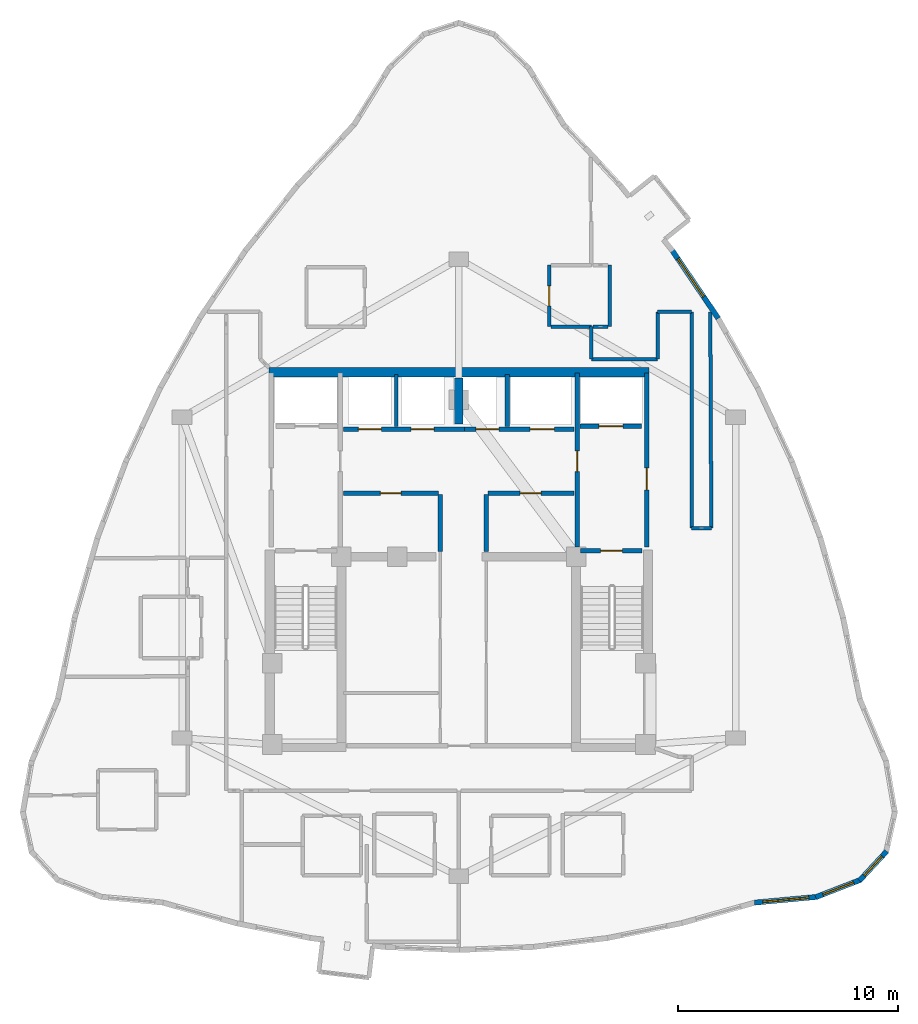
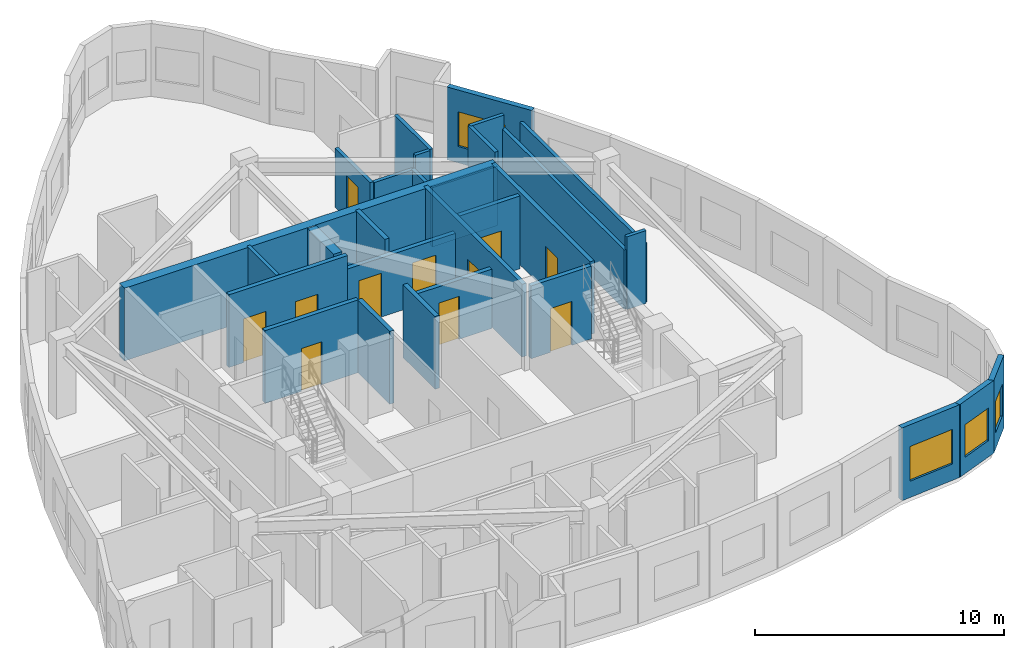
# One storey, part 10 of 13: 29 walls, 11 doors, 4 windows, 15 openings.
"""IFC4 building model written with IfcOpenShell, lengths in metres."""

from ifc_helpers import new_model, si_unit, direction, frame, frame_2d, origin, place, context, subcontext, project, spatial, rectangle, extrude, material, layer, layer_set, type_object, element, fill, save


model = new_model("IFC4")

# Units and contexts
model_context = context("Model", 3, precision=1e-05, world=origin(), true_north=direction((0.0, 1.0)))
body_context = subcontext(model_context, "Body", "Model", "MODEL_VIEW")
ifc_project = project(units=[si_unit("LENGTHUNIT", "METRE"), si_unit("AREAUNIT", "SQUARE_METRE"), si_unit("VOLUMEUNIT", "CUBIC_METRE"), si_unit("PLANEANGLEUNIT", "RADIAN"), si_unit("MASSUNIT", "GRAM", prefix="KILO")], contexts=[model_context])

# Site, building, storey
site_placement = place(None, origin())
site = spatial("IfcSite", under=ifc_project, at=site_placement, CompositionType="ELEMENT")
building_placement = place(site_placement, origin())
building = spatial("IfcBuilding", under=site, at=building_placement, Name="Miruveldt Soraemaru", CompositionType="ELEMENT")
storey_placement = place(building_placement, frame((0.0, 0.0, 255.85009765625)))
storey = spatial("IfcBuildingStorey", under=building, at=storey_placement, Name="L70", CompositionType="ELEMENT", Elevation=255.85009765625)

# Walls
ifc_material_1 = material(Name="Concrete C70/85 (70 MPa)", Category="concrete")
ifc_layer_1 = layer(ifc_material_1, 0.5, Name="Concrete C70/85 (70 MPa)", Category="concrete")
ifc_layer_set_1 = layer_set([ifc_layer_1], Name="Concrete C70/85 (70 MPa)")
wall_type_1 = type_object("IfcWallType", Name="WALL-BW-500", PredefinedType="SHEAR", material=ifc_layer_set_1)
wall_1_placement = place(storey_placement, frame((44.0, 50.10009765625, 0.0), z_axis=(0.0, 0.0, 1.0), x_axis=(0.0, 1.0, 0.0)))
element("IfcWall", 1, at=wall_1_placement, inside=storey, type_object=wall_type_1, Name="L70 Core Buttress Shear Wall BN", PredefinedType="SHEAR", context=body_context, shape_type="SweptSolid", body=[
    extrude(rectangle(XDim=2.099853515625, YDim=0.39990234375, at=frame_2d((1.0498046875, 0.0))), origin(), (0.0, 0.0, 1.0), 3.56494140625),
])
ifc_material_2 = material(Name="Concrete C50/60 (50 MPa)", Category="concrete")
ifc_layer_2 = layer(ifc_material_2, 0.419921875, Name="Concrete C50/60 (50 MPa)", Category="concrete")
ifc_layer_set_2 = layer_set([ifc_layer_2], Name="Concrete C50/60 (50 MPa)")
wall_type_2 = type_object("IfcWallType", Name="WALL-CW-420", PredefinedType="SHEAR", material=ifc_layer_set_2)
wall_2_placement = place(storey_placement, frame((35.35009765625, 52.449951171875, 0.0), z_axis=(0.0, 0.0, 1.0), x_axis=(1.0, 0.0, 0.0)))
element("IfcWall", 2, at=wall_2_placement, inside=storey, type_object=wall_type_2, Name="L70 Central Core Shear Wall N", PredefinedType="SHEAR", context=body_context, shape_type="SweptSolid", body=[
    extrude(rectangle(XDim=17.2998046875, YDim=0.419921875, at=frame_2d((8.64990234375, 0.0))), origin(), (0.0, 0.0, 1.0), 3.56494140625),
])

# Wall, opening, window
ifc_material_3 = material(Name="Precast concrete C45/55 (45 MPa)", Category="concrete")
ifc_layer_3 = layer(ifc_material_3, 0.239990234375, Name="Precast concrete C45/55 (45 MPa)", Category="concrete")
ifc_layer_set_3 = layer_set([ifc_layer_3], Name="Precast concrete C45/55 (45 MPa)")
wall_type_3 = type_object("IfcWallType", Name="WALL-EXT-PC240", PredefinedType="SOLIDWALL", material=ifc_layer_set_3)
wall_3_placement = place(storey_placement, frame((57.46435546875, 28.30078125, 0.0), z_axis=(0.0, 0.0, 1.0), x_axis=(0.99576007386, 0.091988452029, 0.0)))
wall_3 = element("IfcWall", 3, at=wall_3_placement, inside=storey, type_object=wall_type_3, Name="L70 Precast Concrete Facade Wall 29", PredefinedType="SOLIDWALL", context=body_context, shape_type="SweptSolid", body=[
    extrude(rectangle(XDim=2.86376953125, YDim=0.239990234375, at=frame_2d((1.431884765625, 0.0))), origin(), (0.0, 0.0, 1.0), 3.56494140625),
])
opening_1_placement = place(wall_3_placement, frame((0.382080078125, 0.0, 0.800048828125)))
opening_1 = element("IfcOpeningElement", 4, at=opening_1_placement, cuts=wall_3, Name="Opening WN-1", PredefinedType="OPENING", context=body_context, shape_type="SweptSolid", body=[
    extrude(rectangle(XDim=2.10009765625, YDim=1.699951171875, at=frame_2d((1.050048828125, 0.85009765625))), frame((0.0, 0.1298828125, 0.0), z_axis=(0.0, -1.0, 0.0), x_axis=(1.0, 0.0, 0.0)), (0.0, 0.0, 1.0), 0.260009765625),
])
ifc_material_4 = material(Name="Triple low-e insulated glazing", Category="glass")
window_type_1 = type_object("IfcWindowType", Name="WIN-PUNCH-2100x1700", PartitioningType="SINGLE_PANEL", PredefinedType="WINDOW", material=ifc_material_4)
window_1_placement = place(opening_1_placement, origin())
window_1 = element("IfcWindow", 5, at=window_1_placement, inside=storey, type_object=window_type_1, Name="L70 Punched Triple-Glazed Window 29.1", OverallHeight=1.699951171875, OverallWidth=2.10009765625, PartitioningType="SINGLE_PANEL", PredefinedType="WINDOW", context=body_context, shape_type="SweptSolid", body=[
    extrude(rectangle(XDim=2.10009765625, YDim=1.699951171875, at=frame_2d((1.050048828125, 0.85009765625))), frame((0.0, 0.030029296875, 0.0), z_axis=(0.0, -1.0, 0.0), x_axis=(1.0, 0.0, 0.0)), (0.0, 0.0, 1.0), 0.06005859375),
])
fill(opening_1, window_1)

wall_4_placement = place(storey_placement, frame((60.248291015625, 28.54833984375, 0.0), z_axis=(0.0, 0.0, 1.0), x_axis=(0.932289565547, 0.361712822516, 0.0)))
wall_4 = element("IfcWall", 6, at=wall_4_placement, inside=storey, type_object=wall_type_3, Name="L70 Precast Concrete Facade Wall 30", PredefinedType="SOLIDWALL", context=body_context, shape_type="SweptSolid", body=[
    extrude(rectangle(XDim=2.200927734375, YDim=0.239990234375, at=frame_2d((1.1005859375, 0.0))), origin(), (0.0, 0.0, 1.0), 3.56494140625),
])
opening_2_placement = place(wall_4_placement, frame((0.35107421875, 0.0, 0.800048828125)))
opening_2 = element("IfcOpeningElement", 7, at=opening_2_placement, cuts=wall_4, Name="Opening WN-3", PredefinedType="OPENING", context=body_context, shape_type="SweptSolid", body=[
    extrude(rectangle(XDim=1.5, YDim=1.60009765625, at=frame_2d((0.75, 0.800048828125))), frame((0.0, 0.1298828125, 0.0), z_axis=(0.0, -1.0, 0.0), x_axis=(1.0, 0.0, 0.0)), (0.0, 0.0, 1.0), 0.260009765625),
])
window_type_2 = type_object("IfcWindowType", Name="WIN-PUNCH-1500x1600", PartitioningType="SINGLE_PANEL", PredefinedType="WINDOW", material=ifc_material_4)
window_2_placement = place(opening_2_placement, origin())
window_2 = element("IfcWindow", 8, at=window_2_placement, inside=storey, type_object=window_type_2, Name="L70 Punched Triple-Glazed Window 30.1", OverallHeight=1.60009765625, OverallWidth=1.5, PartitioningType="SINGLE_PANEL", PredefinedType="WINDOW", context=body_context, shape_type="SweptSolid", body=[
    extrude(rectangle(XDim=1.5, YDim=1.60009765625, at=frame_2d((0.75, 0.800048828125))), frame((0.0, 0.030029296875, 0.0), z_axis=(0.0, -1.0, 0.0), x_axis=(1.0, 0.0, 0.0)), (0.0, 0.0, 1.0), 0.06005859375),
])
fill(opening_2, window_2)

wall_5_placement = place(storey_placement, frame((62.243896484375, 29.30615234375, 0.0), z_axis=(0.0, 0.0, 1.0), x_axis=(0.680158207142, 0.733065354015, 0.0)))
wall_5 = element("IfcWall", 9, at=wall_5_placement, inside=storey, type_object=wall_type_3, Name="L70 Precast Concrete Facade Wall 31", PredefinedType="SOLIDWALL", context=body_context, shape_type="SweptSolid", body=[
    extrude(rectangle(XDim=1.82275390625, YDim=0.239990234375, at=frame_2d((0.911376953125, 0.0))), origin(), (0.0, 0.0, 1.0), 3.56494140625),
])
opening_3_placement = place(wall_5_placement, frame((0.31103515625, 0.0, 0.780029296875)))
opening_3 = element("IfcOpeningElement", 10, at=opening_3_placement, cuts=wall_5, Name="Opening WN-4", PredefinedType="OPENING", context=body_context, shape_type="SweptSolid", body=[
    extrude(rectangle(XDim=1.199951171875, YDim=1.550048828125, at=frame_2d((0.60009765625, 0.77490234375))), frame((0.0, 0.1298828125, 0.0), z_axis=(0.0, -1.0, 0.0), x_axis=(1.0, 0.0, 0.0)), (0.0, 0.0, 1.0), 0.260009765625),
])
window_type_3 = type_object("IfcWindowType", Name="WIN-PUNCH-1200x1550", PartitioningType="SINGLE_PANEL", PredefinedType="WINDOW", material=ifc_material_4)
window_3_placement = place(opening_3_placement, origin())
window_3 = element("IfcWindow", 11, at=window_3_placement, inside=storey, type_object=window_type_3, Name="L70 Punched Triple-Glazed Window 31.1", OverallHeight=1.550048828125, OverallWidth=1.199951171875, PartitioningType="SINGLE_PANEL", PredefinedType="WINDOW", context=body_context, shape_type="SweptSolid", body=[
    extrude(rectangle(XDim=1.199951171875, YDim=1.550048828125, at=frame_2d((0.60009765625, 0.77490234375))), frame((0.0, 0.030029296875, 0.0), z_axis=(0.0, -1.0, 0.0), x_axis=(1.0, 0.0, 0.0)), (0.0, 0.0, 1.0), 0.06005859375),
])
fill(opening_3, window_3)

wall_6_placement = place(storey_placement, frame((55.814453125, 54.90478515625, 0.0), z_axis=(0.0, 0.0, 1.0), x_axis=(-0.560812433684, 0.827942881016, 0.0)))
wall_6 = element("IfcWall", 12, at=wall_6_placement, inside=storey, type_object=wall_type_3, Name="L70 Precast Concrete Facade Wall 40", PredefinedType="SOLIDWALL", context=body_context, shape_type="SweptSolid", body=[
    extrude(rectangle(XDim=3.779052734375, YDim=0.239990234375, at=frame_2d((1.8896484375, 0.0))), origin(), (0.0, 0.0, 1.0), 3.56494140625),
])
opening_4_placement = place(wall_6_placement, frame((1.18505859375, 0.0, 0.800048828125)))
opening_4 = element("IfcOpeningElement", 13, at=opening_4_placement, cuts=wall_6, Name="Opening WN-1", PredefinedType="OPENING", context=body_context, shape_type="SweptSolid", body=[
    extrude(rectangle(XDim=2.10009765625, YDim=1.699951171875, at=frame_2d((1.050048828125, 0.85009765625))), frame((0.0, 0.1298828125, 0.0), z_axis=(0.0, -1.0, 0.0), x_axis=(1.0, 0.0, 0.0)), (0.0, 0.0, 1.0), 0.260009765625),
])
window_4_placement = place(opening_4_placement, origin())
window_4 = element("IfcWindow", 14, at=window_4_placement, inside=storey, type_object=window_type_1, Name="L70 Punched Triple-Glazed Window 40.1", OverallHeight=1.699951171875, OverallWidth=2.10009765625, PartitioningType="SINGLE_PANEL", PredefinedType="WINDOW", context=body_context, shape_type="SweptSolid", body=[
    extrude(rectangle(XDim=2.10009765625, YDim=1.699951171875, at=frame_2d((1.050048828125, 0.85009765625))), frame((0.0, 0.030029296875, 0.0), z_axis=(0.0, -1.0, 0.0), x_axis=(1.0, 0.0, 0.0)), (0.0, 0.0, 1.0), 0.06005859375),
])
fill(opening_4, window_4)

# Wall, opening, door
ifc_material_5 = material(Name="Concrete C40/50 (40 MPa)", Category="concrete")
ifc_layer_4 = layer(ifc_material_5, 0.159912109375, Name="Concrete C40/50 (40 MPa)", Category="concrete")
ifc_layer_set_4 = layer_set([ifc_layer_4], Name="Concrete C40/50 (40 MPa)")
wall_type_4 = type_object("IfcWallType", Name="WALL-INT-RC160", PredefinedType="SOLIDWALL", material=ifc_layer_set_4)
wall_7_placement = place(storey_placement, frame((48.115966796875, 57.330078125, 0.0), z_axis=(0.0, 0.0, 1.0), x_axis=(0.0, -1.0, 0.0)))
wall_7 = element("IfcWall", 15, at=wall_7_placement, inside=storey, type_object=wall_type_4, Name="L70 Partition Wall 18", PredefinedType="SOLIDWALL", context=body_context, shape_type="SweptSolid", body=[
    extrude(rectangle(XDim=2.800048828125, YDim=0.159912109375, at=frame_2d((1.39990234375, 0.0))), origin(), (0.0, 0.0, 1.0), 2.90283203125),
])
opening_5_placement = place(wall_7_placement, frame((0.93994140625, 0.0, 0.0)))
opening_5 = element("IfcOpeningElement", 16, at=opening_5_placement, cuts=wall_7, Name="Opening D3A", PredefinedType="OPENING", context=body_context, shape_type="SweptSolid", body=[
    extrude(rectangle(XDim=0.919921875, YDim=2.10009765625, at=frame_2d((0.4599609375, 1.050048828125))), frame((0.0, 0.08984375, 0.0), z_axis=(0.0, -1.0, 0.0), x_axis=(1.0, 0.0, 0.0)), (0.0, 0.0, 1.0), 0.179931640625),
])
ifc_material_6 = material(Name="Anodised aluminium EN AW-6063 T6", Category="aluminium")
door_type_1 = type_object("IfcDoorType", Name="DOOR-INT-920", OperationType="NOTDEFINED", PredefinedType="DOOR", material=ifc_material_6)
door_1_placement = place(opening_5_placement, origin())
door_1 = element("IfcDoor", 17, at=door_1_placement, inside=storey, type_object=door_type_1, Name="L70 Unit 7001 KIT Door", OperationType="SINGLE_SWING_LEFT", OverallHeight=2.10009765625, OverallWidth=0.919921875, PredefinedType="DOOR", context=body_context, shape_type="SweptSolid", body=[
    extrude(rectangle(XDim=0.919921875, YDim=2.10009765625, at=frame_2d((0.4599609375, 1.050048828125))), frame((0.0, 0.02490234375, 0.0), z_axis=(0.0, -1.0, 0.0), x_axis=(1.0, 0.0, 0.0)), (0.0, 0.0, 1.0), 0.050048828125),
])
fill(opening_5, door_1)

# Walls
wall_8_placement = place(storey_placement, frame((55.448974609375, 55.202880859375, 0.0), z_axis=(0.0, 0.0, 1.0), x_axis=(0.004686867306, -0.999989016577, 0.0)))
element("IfcWall", 18, at=wall_8_placement, inside=storey, type_object=wall_type_4, Name="L70 Partition Wall 68", PredefinedType="SOLIDWALL", context=body_context, shape_type="SweptSolid", body=[
    extrude(rectangle(XDim=9.844970703125, YDim=0.159912109375, at=frame_2d((4.92236328125, 0.0))), origin(), (0.0, 0.0, 1.0), 2.90283203125),
])
wall_9_placement = place(storey_placement, frame((54.60009765625, 45.35791015625, 0.0), z_axis=(0.0, 0.0, 1.0), x_axis=(0.0, 1.0, 0.0)))
element("IfcWall", 19, at=wall_9_placement, inside=storey, type_object=wall_type_4, Name="L70 Partition Wall 70", PredefinedType="SOLIDWALL", context=body_context, shape_type="SweptSolid", body=[
    extrude(rectangle(XDim=9.842041015625, YDim=0.159912109375, at=frame_2d((4.9208984375, 0.0))), origin(), (0.0, 0.0, 1.0), 2.90283203125),
])
wall_10_placement = place(storey_placement, frame((53.047119140625, 53.050048828125, 0.0), z_axis=(0.0, 0.0, 1.0), x_axis=(-1.0, 0.0, 0.0)))
element("IfcWall", 20, at=wall_10_placement, inside=storey, type_object=wall_type_4, Name="L70 Partition Wall 73", PredefinedType="SOLIDWALL", context=body_context, shape_type="SweptSolid", body=[
    extrude(rectangle(XDim=3.01220703125, YDim=0.159912109375, at=frame_2d((1.506103515625, 0.0))), origin(), (0.0, 0.0, 1.0), 2.90283203125),
])
wall_11_placement = place(storey_placement, frame((50.865966796875, 54.530029296875, 0.0), z_axis=(0.0, 0.0, 1.0), x_axis=(0.0, 1.0, 0.0)))
element("IfcWall", 21, at=wall_11_placement, inside=storey, type_object=wall_type_4, Name="L70 Partition Wall 25", PredefinedType="SOLIDWALL", context=body_context, shape_type="SweptSolid", body=[
    extrude(rectangle(XDim=2.800048828125, YDim=0.159912109375, at=frame_2d((1.39990234375, 0.0))), origin(), (0.0, 0.0, 1.0), 3.56494140625),
])
wall_12_placement = place(storey_placement, frame((41.14990234375, 49.97998046875, 0.0), z_axis=(0.0, 0.0, 1.0), x_axis=(0.0, 1.0, 0.0)))
element("IfcWall", 22, at=wall_12_placement, inside=storey, type_object=wall_type_4, Name="L70 Core Compartment Wall PLH-DIV1", PredefinedType="SOLIDWALL", context=body_context, shape_type="SweptSolid", body=[
    extrude(rectangle(XDim=2.3701171875, YDim=0.159912109375, at=frame_2d((1.18505859375, 0.0))), origin(), (0.0, 0.0, 1.0), 3.56494140625),
])
wall_13_placement = place(storey_placement, frame((53.050048828125, 55.199951171875, 0.0), z_axis=(0.0, 0.0, 1.0), x_axis=(0.0, -1.0, 0.0)))
element("IfcWall", 23, at=wall_13_placement, inside=storey, type_object=wall_type_4, Name="L70 Partition Wall 72", PredefinedType="SOLIDWALL", context=body_context, shape_type="SweptSolid", body=[
    extrude(rectangle(XDim=2.14697265625, YDim=0.159912109375, at=frame_2d((1.073486328125, 0.0))), origin(), (0.0, 0.0, 1.0), 3.56494140625),
])
wall_14_placement = place(storey_placement, frame((48.196044921875, 54.530029296875, 0.0), z_axis=(0.0, 0.0, 1.0), x_axis=(1.0, 0.0, 0.0)))
element("IfcWall", 24, at=wall_14_placement, inside=storey, type_object=wall_type_4, Name="L70 Partition Wall 19", PredefinedType="SOLIDWALL", context=body_context, shape_type="SweptSolid", body=[
    extrude(rectangle(XDim=1.848876953125, YDim=0.159912109375, at=frame_2d((0.92431640625, 0.0))), origin(), (0.0, 0.0, 1.0), 2.90283203125),
])
wall_15_placement = place(storey_placement, frame((54.60009765625, 55.199951171875, 0.0), z_axis=(0.0, 0.0, 1.0), x_axis=(-1.0, 0.0, 0.0)))
element("IfcWall", 25, at=wall_15_placement, inside=storey, type_object=wall_type_4, Name="L70 Partition Wall 71", PredefinedType="SOLIDWALL", context=body_context, shape_type="SweptSolid", body=[
    extrude(rectangle(XDim=1.550048828125, YDim=0.159912109375, at=frame_2d((0.77490234375, 0.0))), origin(), (0.0, 0.0, 1.0), 3.56494140625),
])
wall_16_placement = place(storey_placement, frame((50.034912109375, 53.050048828125, 0.0), z_axis=(0.0, 0.0, 1.0), x_axis=(0.0, 1.0, 0.0)))
element("IfcWall", 26, at=wall_16_placement, inside=storey, type_object=wall_type_4, Name="L70 Partition Wall 20", PredefinedType="SOLIDWALL", context=body_context, shape_type="SweptSolid", body=[
    extrude(rectangle(XDim=1.47998046875, YDim=0.159912109375, at=frame_2d((0.739990234375, 0.0))), origin(), (0.0, 0.0, 1.0), 2.90283203125),
])
wall_17_placement = place(storey_placement, frame((55.4951171875, 45.35791015625, 0.0), z_axis=(0.0, 0.0, 1.0), x_axis=(-1.0, 0.0, 0.0)))
element("IfcWall", 27, at=wall_17_placement, inside=storey, type_object=wall_type_4, Name="L70 Partition Wall 69", PredefinedType="SOLIDWALL", context=body_context, shape_type="SweptSolid", body=[
    extrude(rectangle(XDim=0.89501953125, YDim=0.159912109375, at=frame_2d((0.447509765625, 0.0))), origin(), (0.0, 0.0, 1.0), 3.56494140625),
])
wall_18_placement = place(storey_placement, frame((50.114990234375, 54.530029296875, 0.0), z_axis=(0.0, 0.0, 1.0), x_axis=(1.0, 0.0, 0.0)))
element("IfcWall", 28, at=wall_18_placement, inside=storey, type_object=wall_type_4, Name="L70 Partition Wall 24", PredefinedType="SOLIDWALL", context=body_context, shape_type="SweptSolid", body=[
    extrude(rectangle(XDim=0.6708984375, YDim=0.159912109375, at=frame_2d((0.33544921875, 0.0))), origin(), (0.0, 0.0, 1.0), 3.56494140625),
])

# Wall, opening, door
ifc_layer_5 = layer(ifc_material_5, 0.199951171875, Name="Concrete C40/50 (40 MPa)", Category="concrete")
ifc_layer_set_5 = layer_set([ifc_layer_5], Name="Concrete C40/50 (40 MPa)")
wall_type_5 = type_object("IfcWallType", Name="WALL-INT-RC200", PredefinedType="SOLIDWALL", material=ifc_layer_set_5)
wall_19_placement = place(storey_placement, frame((52.550048828125, 44.5, 0.0), z_axis=(0.0, 0.0, 1.0), x_axis=(0.0, 1.0, 0.0)))
wall_19 = element("IfcWall", 29, at=wall_19_placement, inside=storey, type_object=wall_type_5, Name="L70 Core Compartment Wall FFE-OUT", PredefinedType="SOLIDWALL", context=body_context, shape_type="SweptSolid", body=[
    extrude(rectangle(XDim=7.919921875, YDim=0.199951171875, at=frame_2d((3.9599609375, 0.0))), origin(), (0.0, 0.0, 1.0), 3.56494140625),
])
opening_6_placement = place(wall_19_placement, frame((2.60009765625, 0.0, 0.0)))
opening_6 = element("IfcOpeningElement", 30, at=opening_6_placement, cuts=wall_19, Name="Opening FD1", PredefinedType="OPENING", context=body_context, shape_type="SweptSolid", body=[
    extrude(rectangle(XDim=1.0, YDim=2.14990234375, at=frame_2d((0.5, 1.074951171875))), frame((0.0, 0.10986328125, 0.0), z_axis=(0.0, -1.0, 0.0), x_axis=(1.0, 0.0, 0.0)), (0.0, 0.0, 1.0), 0.219970703125),
])
door_type_2 = type_object("IfcDoorType", Name="DOOR-FD1-1000", OperationType="NOTDEFINED", PredefinedType="DOOR", material=ifc_material_6)
door_2_placement = place(opening_6_placement, frame((1.0, 0.0, 0.0), z_axis=(0.0, 0.0, 1.0), x_axis=(-1.0, 0.0, 0.0)))
door_2 = element("IfcDoor", 31, at=door_2_placement, inside=storey, type_object=door_type_2, Name="L70 East Firefighting Lobby Exit Door", OperationType="SINGLE_SWING_RIGHT", OverallHeight=2.14990234375, OverallWidth=1.0, PredefinedType="DOOR", context=body_context, shape_type="SweptSolid", body=[
    extrude(rectangle(XDim=1.0, YDim=2.14990234375, at=frame_2d((0.5, 1.074951171875))), frame((0.0, 0.02490234375, 0.0), z_axis=(0.0, -1.0, 0.0), x_axis=(1.0, 0.0, 0.0)), (0.0, 0.0, 1.0), 0.050048828125),
])
fill(opening_6, door_2)

wall_20_placement = place(storey_placement, frame((49.39990234375, 44.5, 0.0), z_axis=(0.0, 0.0, 1.0), x_axis=(0.0, 1.0, 0.0)))
wall_20 = element("IfcWall", 32, at=wall_20_placement, inside=storey, type_object=wall_type_5, Name="L70 Core Compartment Wall FFE-IN", PredefinedType="SOLIDWALL", context=body_context, shape_type="SweptSolid", body=[
    extrude(rectangle(XDim=7.919921875, YDim=0.199951171875, at=frame_2d((3.9599609375, 0.0))), origin(), (0.0, 0.0, 1.0), 3.56494140625),
])
opening_7_placement = place(wall_20_placement, frame((3.425048828125, 0.0, 0.0)))
opening_7 = element("IfcOpeningElement", 33, at=opening_7_placement, cuts=wall_20, Name="Opening FD2", PredefinedType="OPENING", context=body_context, shape_type="SweptSolid", body=[
    extrude(rectangle(XDim=0.949951171875, YDim=2.14990234375, at=frame_2d((0.47509765625, 1.074951171875))), frame((0.0, 0.10986328125, 0.0), z_axis=(0.0, -1.0, 0.0), x_axis=(1.0, 0.0, 0.0)), (0.0, 0.0, 1.0), 0.219970703125),
])
door_type_3 = type_object("IfcDoorType", Name="DOOR-FD2-950", OperationType="NOTDEFINED", PredefinedType="DOOR", material=ifc_material_6)
door_3_placement = place(opening_7_placement, origin())
door_3 = element("IfcDoor", 34, at=door_3_placement, inside=storey, type_object=door_type_3, Name="L70 Lift Lobby to East Fire Lobby Door", OperationType="SINGLE_SWING_LEFT", OverallHeight=2.14990234375, OverallWidth=0.949951171875, PredefinedType="DOOR", context=body_context, shape_type="SweptSolid", body=[
    extrude(rectangle(XDim=0.949951171875, YDim=2.14990234375, at=frame_2d((0.47509765625, 1.074951171875))), frame((0.0, 0.02490234375, 0.0), z_axis=(0.0, -1.0, 0.0), x_axis=(1.0, 0.0, 0.0)), (0.0, 0.0, 1.0), 0.050048828125),
])
fill(opening_7, door_3)

# Wall, openings, doors
wall_21_placement = place(storey_placement, frame((38.75, 49.85009765625, 0.0), z_axis=(0.0, 0.0, 1.0), x_axis=(1.0, 0.0, 0.0)))
wall_21 = element("IfcWall", 35, at=wall_21_placement, inside=storey, type_object=wall_type_5, Name="L70 Core Compartment Wall ROWA-SW", PredefinedType="SOLIDWALL", context=body_context, shape_type="SweptSolid", body=[
    extrude(rectangle(XDim=5.5, YDim=0.199951171875, at=frame_2d((2.75, 0.0))), origin(), (0.0, 0.0, 1.0), 3.56494140625),
])
opening_8_placement = place(wall_21_placement, frame((0.675048828125, 0.0, 0.0)))
opening_8 = element("IfcOpeningElement", 36, at=opening_8_placement, cuts=wall_21, Name="Opening LD1", PredefinedType="OPENING", context=body_context, shape_type="SweptSolid", body=[
    extrude(rectangle(XDim=1.050048828125, YDim=2.14990234375, at=frame_2d((0.52490234375, 1.074951171875))), frame((0.0, 0.10986328125, 0.0), z_axis=(0.0, -1.0, 0.0), x_axis=(1.0, 0.0, 0.0)), (0.0, 0.0, 1.0), 0.219970703125),
])
opening_9_placement = place(wall_21_placement, frame((3.074951171875, 0.0, 0.0)))
opening_9 = element("IfcOpeningElement", 37, at=opening_9_placement, cuts=wall_21, Name="Opening LD1", PredefinedType="OPENING", context=body_context, shape_type="SweptSolid", body=[
    extrude(rectangle(XDim=1.050048828125, YDim=2.14990234375, at=frame_2d((0.52490234375, 1.074951171875))), frame((0.0, 0.10986328125, 0.0), z_axis=(0.0, -1.0, 0.0), x_axis=(1.0, 0.0, 0.0)), (0.0, 0.0, 1.0), 0.219970703125),
])
door_type_4 = type_object("IfcDoorType", Name="DOOR-LD1-1050", OperationType="SLIDING_TO_LEFT", PredefinedType="DOOR", material=ifc_material_6)
door_4_placement = place(opening_8_placement, origin())
door_4 = element("IfcDoor", 38, at=door_4_placement, inside=storey, type_object=door_type_4, Name="L70 PL-H1 Landing Door", OperationType="SLIDING_TO_LEFT", OverallHeight=2.14990234375, OverallWidth=1.050048828125, PredefinedType="DOOR", context=body_context, shape_type="SweptSolid", body=[
    extrude(rectangle(XDim=1.050048828125, YDim=2.14990234375, at=frame_2d((0.52490234375, 1.074951171875))), frame((0.0, 0.02490234375, 0.0), z_axis=(0.0, -1.0, 0.0), x_axis=(1.0, 0.0, 0.0)), (0.0, 0.0, 1.0), 0.050048828125),
])
fill(opening_8, door_4)
door_5_placement = place(opening_9_placement, origin())
door_5 = element("IfcDoor", 39, at=door_5_placement, inside=storey, type_object=door_type_4, Name="L70 PL-H2 Landing Door", OperationType="SLIDING_TO_LEFT", OverallHeight=2.14990234375, OverallWidth=1.050048828125, PredefinedType="DOOR", context=body_context, shape_type="SweptSolid", body=[
    extrude(rectangle(XDim=1.050048828125, YDim=2.14990234375, at=frame_2d((0.52490234375, 1.074951171875))), frame((0.0, 0.02490234375, 0.0), z_axis=(0.0, -1.0, 0.0), x_axis=(1.0, 0.0, 0.0)), (0.0, 0.0, 1.0), 0.050048828125),
])
fill(opening_9, door_5)

wall_22_placement = place(storey_placement, frame((44.25, 49.85009765625, 0.0), z_axis=(0.0, 0.0, 1.0), x_axis=(1.0, 0.0, 0.0)))
wall_22 = element("IfcWall", 40, at=wall_22_placement, inside=storey, type_object=wall_type_5, Name="L70 Core Compartment Wall ROWA-SE", PredefinedType="SOLIDWALL", context=body_context, shape_type="SweptSolid", body=[
    extrude(rectangle(XDim=5.0, YDim=0.199951171875, at=frame_2d((2.5, 0.0))), origin(), (0.0, 0.0, 1.0), 2.90283203125),
])
opening_10_placement = place(wall_22_placement, frame((0.52490234375, 0.0, 0.0)))
opening_10 = element("IfcOpeningElement", 41, at=opening_10_placement, cuts=wall_22, Name="Opening LD1", PredefinedType="OPENING", context=body_context, shape_type="SweptSolid", body=[
    extrude(rectangle(XDim=1.050048828125, YDim=2.14990234375, at=frame_2d((0.52490234375, 1.074951171875))), frame((0.0, 0.10986328125, 0.0), z_axis=(0.0, -1.0, 0.0), x_axis=(1.0, 0.0, 0.0)), (0.0, 0.0, 1.0), 0.219970703125),
])
opening_11_placement = place(wall_22_placement, frame((3.0, 0.0, 0.0)))
opening_11 = element("IfcOpeningElement", 42, at=opening_11_placement, cuts=wall_22, Name="Opening LD2", PredefinedType="OPENING", context=body_context, shape_type="SweptSolid", body=[
    extrude(rectangle(XDim=1.10009765625, YDim=2.14990234375, at=frame_2d((0.550048828125, 1.074951171875))), frame((0.0, 0.10986328125, 0.0), z_axis=(0.0, -1.0, 0.0), x_axis=(1.0, 0.0, 0.0)), (0.0, 0.0, 1.0), 0.219970703125),
])
door_6_placement = place(opening_10_placement, origin())
door_6 = element("IfcDoor", 43, at=door_6_placement, inside=storey, type_object=door_type_4, Name="L70 PL-H3 Landing Door", OperationType="SLIDING_TO_LEFT", OverallHeight=2.14990234375, OverallWidth=1.050048828125, PredefinedType="DOOR", context=body_context, shape_type="SweptSolid", body=[
    extrude(rectangle(XDim=1.050048828125, YDim=2.14990234375, at=frame_2d((0.52490234375, 1.074951171875))), frame((0.0, 0.02490234375, 0.0), z_axis=(0.0, -1.0, 0.0), x_axis=(1.0, 0.0, 0.0)), (0.0, 0.0, 1.0), 0.050048828125),
])
fill(opening_10, door_6)
door_type_5 = type_object("IfcDoorType", Name="DOOR-LD2-1100", OperationType="SLIDING_TO_LEFT", PredefinedType="DOOR", material=ifc_material_6)
door_7_placement = place(opening_11_placement, origin())
door_7 = element("IfcDoor", 44, at=door_7_placement, inside=storey, type_object=door_type_5, Name="L70 SL-1 Landing Door", OperationType="SLIDING_TO_LEFT", OverallHeight=2.14990234375, OverallWidth=1.10009765625, PredefinedType="DOOR", context=body_context, shape_type="SweptSolid", body=[
    extrude(rectangle(XDim=1.10009765625, YDim=2.14990234375, at=frame_2d((0.550048828125, 1.074951171875))), frame((0.0, 0.02490234375, 0.0), z_axis=(0.0, -1.0, 0.0), x_axis=(1.0, 0.0, 0.0)), (0.0, 0.0, 1.0), 0.050048828125),
])
fill(opening_11, door_7)

# Wall, opening, door
wall_23_placement = place(storey_placement, frame((38.75, 46.949951171875, 0.0), z_axis=(0.0, 0.0, 1.0), x_axis=(1.0, 0.0, 0.0)))
wall_23 = element("IfcWall", 45, at=wall_23_placement, inside=storey, type_object=wall_type_5, Name="L70 Core Compartment Wall MBW-N", PredefinedType="SOLIDWALL", context=body_context, shape_type="SweptSolid", body=[
    extrude(rectangle(XDim=4.330078125, YDim=0.199951171875, at=frame_2d((2.1650390625, 0.0))), origin(), (0.0, 0.0, 1.0), 3.56494140625),
])
opening_12_placement = place(wall_23_placement, frame((1.675048828125, 0.0, 0.0)))
opening_12 = element("IfcOpeningElement", 46, at=opening_12_placement, cuts=wall_23, Name="Opening D2", PredefinedType="OPENING", context=body_context, shape_type="SweptSolid", body=[
    extrude(rectangle(XDim=0.949951171875, YDim=2.10009765625, at=frame_2d((0.47509765625, 1.050048828125))), frame((0.0, 0.10986328125, 0.0), z_axis=(0.0, -1.0, 0.0), x_axis=(1.0, 0.0, 0.0)), (0.0, 0.0, 1.0), 0.219970703125),
])
door_type_6 = type_object("IfcDoorType", Name="DOOR-INT-950", OperationType="NOTDEFINED", PredefinedType="DOOR", material=ifc_material_6)
door_8_placement = place(opening_12_placement, origin())
door_8 = element("IfcDoor", 47, at=door_8_placement, inside=storey, type_object=door_type_6, Name="L70 Fire Door", OperationType="SINGLE_SWING_LEFT", OverallHeight=2.10009765625, OverallWidth=0.949951171875, PredefinedType="DOOR", context=body_context, shape_type="SweptSolid", body=[
    extrude(rectangle(XDim=0.949951171875, YDim=2.10009765625, at=frame_2d((0.47509765625, 1.050048828125))), frame((0.0, 0.02490234375, 0.0), z_axis=(0.0, -1.0, 0.0), x_axis=(1.0, 0.0, 0.0)), (0.0, 0.0, 1.0), 0.050048828125),
])
fill(opening_12, door_8)

wall_24_placement = place(storey_placement, frame((45.320068359375, 46.949951171875, 0.0), z_axis=(0.0, 0.0, 1.0), x_axis=(1.0, 0.0, 0.0)))
wall_24 = element("IfcWall", 48, at=wall_24_placement, inside=storey, type_object=wall_type_5, Name="L70 Core Compartment Wall MBE-N", PredefinedType="SOLIDWALL", context=body_context, shape_type="SweptSolid", body=[
    extrude(rectangle(XDim=3.929931640625, YDim=0.199951171875, at=frame_2d((1.96484375, 0.0))), origin(), (0.0, 0.0, 1.0), 2.90283203125),
])
opening_13_placement = place(wall_24_placement, frame((1.47509765625, 0.0, 0.0)))
opening_13 = element("IfcOpeningElement", 49, at=opening_13_placement, cuts=wall_24, Name="Opening D2", PredefinedType="OPENING", context=body_context, shape_type="SweptSolid", body=[
    extrude(rectangle(XDim=0.949951171875, YDim=2.10009765625, at=frame_2d((0.47509765625, 1.050048828125))), frame((0.0, 0.10986328125, 0.0), z_axis=(0.0, -1.0, 0.0), x_axis=(1.0, 0.0, 0.0)), (0.0, 0.0, 1.0), 0.219970703125),
])
door_9_placement = place(opening_13_placement, origin())
door_9 = element("IfcDoor", 50, at=door_9_placement, inside=storey, type_object=door_type_6, Name="L70 Fire Door", OperationType="SINGLE_SWING_LEFT", OverallHeight=2.10009765625, OverallWidth=0.949951171875, PredefinedType="DOOR", context=body_context, shape_type="SweptSolid", body=[
    extrude(rectangle(XDim=0.949951171875, YDim=2.10009765625, at=frame_2d((0.47509765625, 1.050048828125))), frame((0.0, 0.02490234375, 0.0), z_axis=(0.0, -1.0, 0.0), x_axis=(1.0, 0.0, 0.0)), (0.0, 0.0, 1.0), 0.050048828125),
])
fill(opening_13, door_9)

wall_25_placement = place(storey_placement, frame((49.550048828125, 44.320068359375, 0.0), z_axis=(0.0, 0.0, 1.0), x_axis=(1.0, 0.0, 0.0)))
wall_25 = element("IfcWall", 51, at=wall_25_placement, inside=storey, type_object=wall_type_5, Name="L70 Core Compartment Wall ST2-N", PredefinedType="SOLIDWALL", context=body_context, shape_type="SweptSolid", body=[
    extrude(rectangle(XDim=2.800048828125, YDim=0.199951171875, at=frame_2d((1.39990234375, 0.0))), origin(), (0.0, 0.0, 1.0), 3.56494140625),
])
opening_14_placement = place(wall_25_placement, frame((0.89990234375, 0.0, 0.0)))
opening_14 = element("IfcOpeningElement", 52, at=opening_14_placement, cuts=wall_25, Name="Opening FD1", PredefinedType="OPENING", context=body_context, shape_type="SweptSolid", body=[
    extrude(rectangle(XDim=1.0, YDim=2.14990234375, at=frame_2d((0.5, 1.074951171875))), frame((0.0, 0.10986328125, 0.0), z_axis=(0.0, -1.0, 0.0), x_axis=(1.0, 0.0, 0.0)), (0.0, 0.0, 1.0), 0.219970703125),
])
door_10_placement = place(opening_14_placement, frame((1.0, 0.0, 0.0), z_axis=(0.0, 0.0, 1.0), x_axis=(-1.0, 0.0, 0.0)))
door_10 = element("IfcDoor", 53, at=door_10_placement, inside=storey, type_object=door_type_2, Name="L70 Stair ST-2 Fire Door", OperationType="SINGLE_SWING_RIGHT", OverallHeight=2.14990234375, OverallWidth=1.0, PredefinedType="DOOR", context=body_context, shape_type="SweptSolid", body=[
    extrude(rectangle(XDim=1.0, YDim=2.14990234375, at=frame_2d((0.5, 1.074951171875))), frame((0.0, 0.02490234375, 0.0), z_axis=(0.0, -1.0, 0.0), x_axis=(1.0, 0.0, 0.0)), (0.0, 0.0, 1.0), 0.050048828125),
])
fill(opening_14, door_10)

wall_26_placement = place(storey_placement, frame((49.52001953125, 50.0, 0.0), z_axis=(0.0, 0.0, 1.0), x_axis=(1.0, 0.0, 0.0)))
wall_26 = element("IfcWall", 54, at=wall_26_placement, inside=storey, type_object=wall_type_5, Name="L70 Core Compartment Wall FFL2-S", PredefinedType="SOLIDWALL", context=body_context, shape_type="SweptSolid", body=[
    extrude(rectangle(XDim=2.800048828125, YDim=0.199951171875, at=frame_2d((1.39990234375, 0.0))), origin(), (0.0, 0.0, 1.0), 3.56494140625),
])
opening_15_placement = place(wall_26_placement, frame((0.85009765625, 0.0, 0.0)))
opening_15 = element("IfcOpeningElement", 55, at=opening_15_placement, cuts=wall_26, Name="Opening LD2", PredefinedType="OPENING", context=body_context, shape_type="SweptSolid", body=[
    extrude(rectangle(XDim=1.10009765625, YDim=2.14990234375, at=frame_2d((0.550048828125, 1.074951171875))), frame((0.0, 0.10986328125, 0.0), z_axis=(0.0, -1.0, 0.0), x_axis=(1.0, 0.0, 0.0)), (0.0, 0.0, 1.0), 0.219970703125),
])
door_11_placement = place(opening_15_placement, origin())
door_11 = element("IfcDoor", 56, at=door_11_placement, inside=storey, type_object=door_type_5, Name="L70 FFL-2 Landing Door", OperationType="SLIDING_TO_LEFT", OverallHeight=2.14990234375, OverallWidth=1.10009765625, PredefinedType="DOOR", context=body_context, shape_type="SweptSolid", body=[
    extrude(rectangle(XDim=1.10009765625, YDim=2.14990234375, at=frame_2d((0.550048828125, 1.074951171875))), frame((0.0, 0.02490234375, 0.0), z_axis=(0.0, -1.0, 0.0), x_axis=(1.0, 0.0, 0.0)), (0.0, 0.0, 1.0), 0.050048828125),
])
fill(opening_15, door_11)

# Walls
for number, where, z_axis, x_axis, name in (
    (57, (43.14990234375, 44.300048828125, 0.0), (0.0, 0.0, 1.0), (0.0, 1.0, 0.0), "L70 Core Compartment Wall SP-WB"),
    (58, (45.25, 44.300048828125, 0.0), (0.0, 0.0, 1.0), (0.0, 1.0, 0.0), "L70 Core Compartment Wall SP-EB"),
):
    element("IfcWall", number, at=place(storey_placement, frame(where, z_axis=z_axis, x_axis=x_axis)), inside=storey, type_object=wall_type_5, Name=name, PredefinedType="SOLIDWALL", context=body_context, shape_type="SweptSolid", body=[
        extrude(rectangle(XDim=2.579833984375, YDim=0.199951171875, at=frame_2d((1.2900390625, 0.0))), origin(), (0.0, 0.0, 1.0), 3.56494140625),
    ])
wall_27_placement = place(storey_placement, frame((46.199951171875, 49.97998046875, 0.0), z_axis=(0.0, 0.0, 1.0), x_axis=(0.0, 1.0, 0.0)))
element("IfcWall", 59, at=wall_27_placement, inside=storey, type_object=wall_type_5, Name="L70 Core Compartment Wall PLH-SL-DIV", PredefinedType="SOLIDWALL", context=body_context, shape_type="SweptSolid", body=[
    extrude(rectangle(XDim=2.3701171875, YDim=0.199951171875, at=frame_2d((1.18505859375, 0.0))), origin(), (0.0, 0.0, 1.0), 3.56494140625),
])

save(model, "model.ifc")
